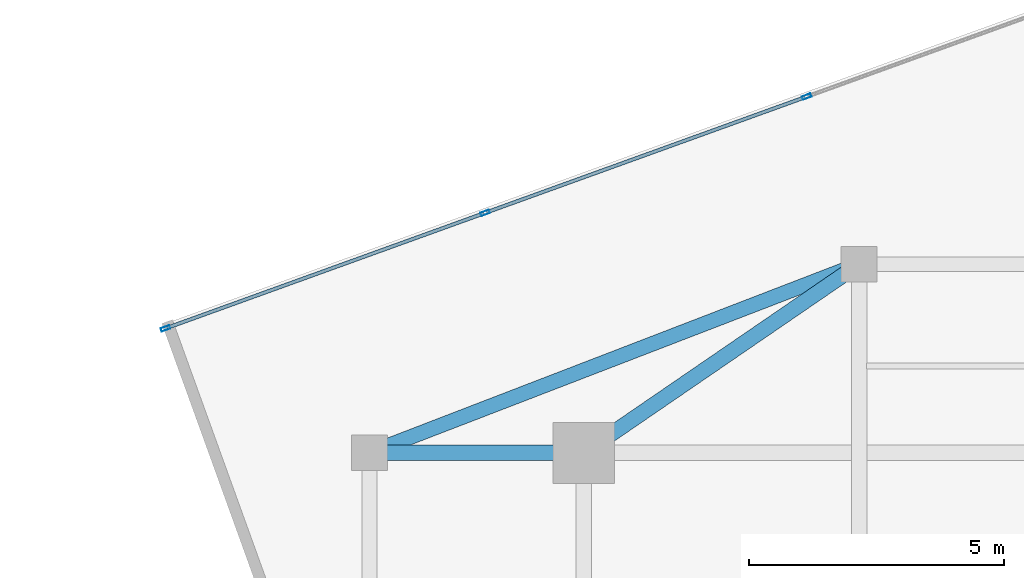
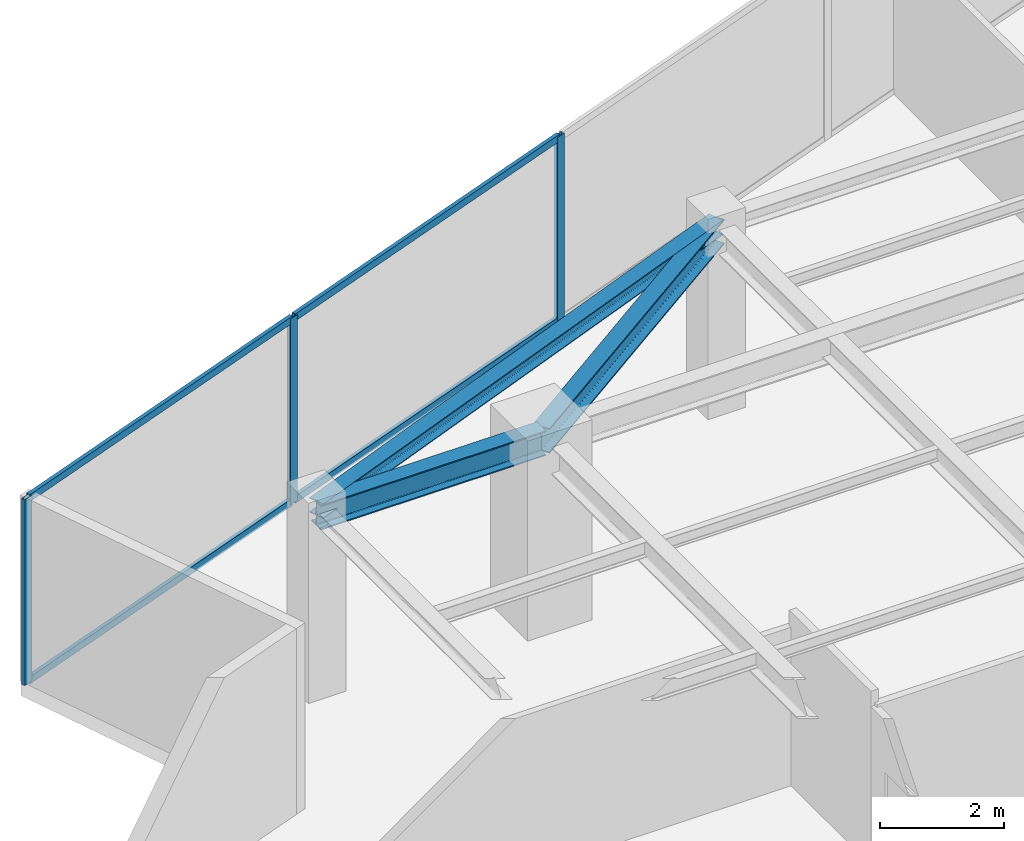
# One storey, part 13 of 21: 7 members, 3 beams, 1 element without a shape of its own.
"""IFC4 building model written with IfcOpenShell, lengths in metres."""

import ifcopenshell
import ifcopenshell.guid

model = None  # the IFC model being written
_history = None  # IfcOwnerHistory: only IFC2X3 demands one
_inside = {}  # id of a spatial element -> (the spatial element, [elements in it])
_under = {}  # id of a project, library or spatial element -> (it, [spatial elements below it])
_declared = {}  # id of a project -> (the project, [libraries it declares])
_typed = {}  # id of a type object -> (the type object, [elements of that type])
_made_of = {}  # id of a material, layer set ... -> (it, [elements and type objects made of it])


def new_model(schema):
    """Start an empty IFC model of exactly this schema.

    Asked for "IFC4X3", IfcOpenShell would pick the latest addendum, in which some entities
    have other attributes; the version numbers below select the first issue.
    IFC2X3 requires an IfcOwnerHistory on every rooted entity: one is made here for all.
    """
    global model, _history
    if schema == "IFC4X3":
        model = ifcopenshell.file(schema_version=(4, 3, 0, 0))
    else:
        model = ifcopenshell.file(schema=schema)
    _inside.clear()
    _under.clear()
    _declared.clear()
    _typed.clear()
    _made_of.clear()
    _history = None
    if model.schema == "IFC2X3":
        org = make("IfcOrganization", Name="unknown")
        user = make(
            "IfcPersonAndOrganization",
            ThePerson=make("IfcPerson", FamilyName="unknown"),
            TheOrganization=org,
        )
        app = make(
            "IfcApplication",
            ApplicationDeveloper=org,
            Version="unknown",
            ApplicationFullName="unknown",
            ApplicationIdentifier="unknown",
        )
        _history = make(
            "IfcOwnerHistory",
            OwningUser=user,
            OwningApplication=app,
            ChangeAction="ADDED",
            CreationDate=0,
        )
    return model


def make(cls, **values):
    """One entity of the class cls with the attributes given. An attribute that is None is left unset."""
    return model.create_entity(
        cls, **{name: value for name, value in values.items() if value is not None}
    )


def rooted(cls, **values):
    """An entity with a GlobalId (a new one), such as an element, a storey or a relation."""
    return make(cls, GlobalId=ifcopenshell.guid.new(), OwnerHistory=_history, **values)


def si_unit(unit_type, name, prefix=None):
    """IfcSIUnit, for example si_unit("LENGTHUNIT", "METRE", prefix="MILLI")."""
    return make("IfcSIUnit", UnitType=unit_type, Prefix=prefix, Name=name)


def assignment(units):
    """IfcUnitAssignment: the units of a project."""
    return None if units is None else make("IfcUnitAssignment", Units=units)


def point(xyz):
    """IfcCartesianPoint."""
    return None if xyz is None else make("IfcCartesianPoint", Coordinates=xyz)


def direction(xyz):
    """IfcDirection."""
    return None if xyz is None else make("IfcDirection", DirectionRatios=xyz)


def frame(location, z_axis=None, x_axis=None):
    """IfcAxis2Placement3D, a coordinate frame: its origin and axes. An axis left out is left unset."""
    return make(
        "IfcAxis2Placement3D",
        Location=point(location),
        Axis=direction(z_axis),
        RefDirection=direction(x_axis),
    )


def frame_2d(location, x_axis=None):
    """IfcAxis2Placement2D, a coordinate frame in the plane: its origin and x axis."""
    return make(
        "IfcAxis2Placement2D", Location=point(location), RefDirection=direction(x_axis)
    )


def origin():
    """The frame at (0, 0, 0) with its axes left unset."""
    return frame((0.0, 0.0, 0.0))


def origin_2d():
    """The frame at (0, 0) in the plane with its x axis left unset."""
    return frame_2d((0.0, 0.0))


def place(relative_to, where):
    """IfcLocalPlacement: puts the frame where relative to a parent placement (None: the world)."""
    return make(
        "IfcLocalPlacement", PlacementRelTo=relative_to, RelativePlacement=where
    )


def context(
    kind, dimensions, precision=None, world=None, true_north=None, identifier=None
):
    """IfcGeometricRepresentationContext, for example the 3D "Model" context."""
    return make(
        "IfcGeometricRepresentationContext",
        ContextIdentifier=identifier,
        ContextType=kind,
        CoordinateSpaceDimension=dimensions,
        Precision=precision,
        WorldCoordinateSystem=world,
        TrueNorth=true_north,
    )


def subcontext(parent, identifier, kind, view, scale=None):
    """IfcGeometricRepresentationSubContext, for example "Body" below "Model"."""
    return make(
        "IfcGeometricRepresentationSubContext",
        ContextIdentifier=identifier,
        ContextType=kind,
        ParentContext=parent,
        TargetScale=scale,
        TargetView=view,
    )


def project(units=None, contexts=None):
    """IfcProject with its units and contexts."""
    return rooted(
        "IfcProject",
        Name="project",
        RepresentationContexts=contexts,
        UnitsInContext=assignment(units),
    )


def spatial(cls, under=None, at=None, **own):
    """A site, building, storey or space (cls), placed at a placement, below another one or the project."""
    s = rooted(cls, ObjectPlacement=at, **own)
    if under is not None:
        _under.setdefault(under.id(), (under, []))[1].append(s)
    return s


def profile(cls, at=None, kind="AREA", **sizes):
    """A parametric profile (cls). Its sizes go by their IFC names, for example OverallWidth=200.0."""
    return make(cls, ProfileType=kind, Position=at, **sizes)


def hollow_rectangle(**sizes):
    """IfcRectangleHollowProfileDef."""
    return profile("IfcRectangleHollowProfileDef", **sizes)


def i_section(**sizes):
    """IfcIShapeProfileDef."""
    return profile("IfcIShapeProfileDef", **sizes)


def extrude(swept, where, along, depth):
    """IfcExtrudedAreaSolid: the profile swept, set in the frame where, extruded along a direction by depth."""
    return make(
        "IfcExtrudedAreaSolid",
        SweptArea=swept,
        Position=where,
        ExtrudedDirection=direction(along),
        Depth=depth,
    )


def shape(context_of_items, identifier, shape_type, items):
    """IfcShapeRepresentation: the items that make up one representation, for example the "Body"."""
    return make(
        "IfcShapeRepresentation",
        ContextOfItems=context_of_items,
        RepresentationIdentifier=identifier,
        RepresentationType=shape_type,
        Items=items,
    )


def source(mapping_origin, context_of_items, identifier, shape_type, items):
    """IfcRepresentationMap: a shape defined once, which mapped items show again and again."""
    return make(
        "IfcRepresentationMap",
        MappingOrigin=mapping_origin,
        MappedRepresentation=shape(context_of_items, identifier, shape_type, items),
    )


def transform(
    local_origin,
    x_axis=None,
    y_axis=None,
    z_axis=None,
    scale=None,
    scale2=None,
    scale3=None,
    uniform=True,
):
    """IfcCartesianTransformationOperator3D, or its non-uniform kind. x_axis, y_axis, z_axis: its Axis1, 2, 3."""
    if uniform:
        return make(
            "IfcCartesianTransformationOperator3D",
            Axis1=direction(x_axis),
            Axis2=direction(y_axis),
            LocalOrigin=point(local_origin),
            Scale=scale,
            Axis3=direction(z_axis),
        )
    return make(
        "IfcCartesianTransformationOperator3DnonUniform",
        Axis1=direction(x_axis),
        Axis2=direction(y_axis),
        LocalOrigin=point(local_origin),
        Scale=scale,
        Axis3=direction(z_axis),
        Scale2=scale2,
        Scale3=scale3,
    )


def mapped(mapping_source, mapping_target):
    """IfcMappedItem: shows the shape of a source again, moved by a transform."""
    return make(
        "IfcMappedItem", MappingSource=mapping_source, MappingTarget=mapping_target
    )


def material(Name=None, Category=None):
    """IfcMaterial."""
    return make("IfcMaterial", Name=Name, Category=Category)


def material_profile(
    of_material, cross_section, Name=None, Category=None, Priority=None
):
    """IfcMaterialProfile: a cross section and its material."""
    return make(
        "IfcMaterialProfile",
        Name=Name,
        Material=of_material,
        Profile=cross_section,
        Priority=Priority,
        Category=Category,
    )


def profile_set(profiles, Name=None, composite=None):
    """IfcMaterialProfileSet."""
    return make(
        "IfcMaterialProfileSet",
        Name=Name,
        MaterialProfiles=profiles,
        CompositeProfile=composite,
    )


def made_of(thing, what):
    """Note that an element or type object is made of a material, layer set ...; save() writes the relation."""
    if what is not None:
        _made_of.setdefault(what.id(), (what, []))[1].append(thing)
    return thing


def type_object(cls, material=None, **own):
    """A type object (cls), such as IfcWallType, which elements share."""
    return made_of(rooted(cls, **own), material)


def type_shapes(of_type, sources):
    """Give a type object the sources (RepresentationMaps) that its elements show as mapped items."""
    of_type.RepresentationMaps = sources


def element(
    cls,
    number,
    at=None,
    inside=None,
    cuts=None,
    type_object=None,
    material=None,
    context=None,
    identifier="Body",
    shape_type=None,
    held_by="IfcProductDefinitionShape",
    body=None,
    shapes=None,
    **own,
):
    """One element of the class cls, such as IfcWall. Its Tag is "e" and its number.

    at: its placement. inside: the storey or other place that contains it. cuts: it is an
    opening in that element (IfcRelVoidsElement). A single representation is given by context,
    identifier, shape_type and body (its items); several are given by shapes. held_by: the class
    of the entity that holds the representations. save() writes the other relations.
    """
    e = rooted(cls, Tag="e%d" % number, ObjectPlacement=at, **own)
    if body is not None:
        shapes = [shape(context, identifier, shape_type, body)]
    if shapes is not None:
        e.Representation = make(held_by, Representations=shapes)
    if inside is not None:
        _inside.setdefault(inside.id(), (inside, []))[1].append(e)
    if cuts is not None:
        rooted(
            "IfcRelVoidsElement", RelatingBuildingElement=cuts, RelatedOpeningElement=e
        )
    if type_object is not None:
        _typed.setdefault(type_object.id(), (type_object, []))[1].append(e)
    return made_of(e, material)


def aggregate(whole, parts):
    """IfcRelAggregates: a whole, such as a stair, and the parts it consists of."""
    return rooted("IfcRelAggregates", RelatingObject=whole, RelatedObjects=parts)


def save(model, path):
    """Write the relations noted so far, then the file.

    IfcRelAggregates (storeys below a building ...), IfcRelContainedInSpatialStructure (elements
    in a storey), IfcRelDefinesByType, IfcRelAssociatesMaterial and IfcRelDeclares: one each for
    every whole, place, type object, material and project.
    """
    for whole, parts in _under.values():
        aggregate(whole, parts)
    for where, things in _inside.values():
        rooted(
            "IfcRelContainedInSpatialStructure",
            RelatedElements=things,
            RelatingStructure=where,
        )
    for kind, things in _typed.values():
        rooted("IfcRelDefinesByType", RelatedObjects=things, RelatingType=kind)
    for what, things in _made_of.values():
        rooted("IfcRelAssociatesMaterial", RelatedObjects=things, RelatingMaterial=what)
    for by, libraries in _declared.values():
        rooted("IfcRelDeclares", RelatingContext=by, RelatedDefinitions=libraries)
    model.write(path)


model = new_model("IFC4")

# Units and contexts
model_context = context("Model", 3, precision=1e-05, world=origin(), true_north=direction((0.0, 1.0)))
body_context = subcontext(model_context, "Body", "Model", "MODEL_VIEW")
ifc_project = project(units=[si_unit("LENGTHUNIT", "METRE"), si_unit("AREAUNIT", "SQUARE_METRE"), si_unit("VOLUMEUNIT", "CUBIC_METRE"), si_unit("PLANEANGLEUNIT", "RADIAN"), si_unit("MASSUNIT", "GRAM", prefix="KILO")], contexts=[model_context])

# Site, building, storey
site_placement = place(None, origin())
site = spatial("IfcSite", under=ifc_project, at=site_placement, CompositionType="ELEMENT")
building_placement = place(site_placement, origin())
building = spatial("IfcBuilding", under=site, at=building_placement, Name="Krantzveldt Concourse Tower", CompositionType="ELEMENT")
storey_placement = place(building_placement, frame((0.0, 0.0, 335.60009765625)))
storey = spatial("IfcBuildingStorey", under=building, at=storey_placement, Name="L82", CompositionType="ELEMENT", Elevation=335.60009765625)

# Beams
ifc_material_1 = material(Name="Steel S355JR", Category="steel")
ifc_material_profile_1 = material_profile(ifc_material_1, i_section(OverallWidth=0.300048828125, OverallDepth=0.489990234375, WebThickness=0.011962890625, FlangeThickness=0.02294921875, FilletRadius=0.027099609375, at=origin_2d()), Name="Steel S355JR", Category="steel")
ifc_profile_set_1 = profile_set([ifc_material_profile_1], Name="Steel S355JR - HEA 500")
beam_type_1 = type_object("IfcBeamType", Name="BM-B-HEA500", PredefinedType="BEAM", material=ifc_profile_set_1)
shared_shape_1 = source(origin(), body_context, "Body", "SweptSolid", [
    extrude(i_section(OverallWidth=0.300048828125, OverallDepth=0.489990234375, WebThickness=0.011962890625, FlangeThickness=0.02294921875, FilletRadius=0.027099609375, at=origin_2d()), origin(), (0.0, 0.0, 1.0), 4.199951171875),
])
beam_1_placement = place(storey_placement, frame((21.0, 37.5, 3.4248046875), z_axis=(1.0, 0.0, 0.0), x_axis=(0.0, 1.0, 0.0)))
element("IfcBeam", 1, at=beam_1_placement, inside=storey, type_object=beam_type_1, Name="L82 Tower Girder BR-RL3", PredefinedType="BEAM", context=body_context, shape_type="MappedRepresentation", body=[
    mapped(shared_shape_1, transform((0.0, 0.0, 0.0), x_axis=(1.0, 0.0, 0.0), y_axis=(0.0, 1.0, 0.0), z_axis=(0.0, 0.0, 1.0), scale=1.0)),
])
shared_shape_2 = source(origin(), body_context, "Body", "SweptSolid", [
    extrude(i_section(OverallWidth=0.300048828125, OverallDepth=0.489990234375, WebThickness=0.011962890625, FlangeThickness=0.02294921875, FilletRadius=0.027099609375, at=origin_2d()), origin(), (0.0, 0.0, 1.0), 6.546142578125),
])
type_shapes(beam_type_1, [shared_shape_1, shared_shape_2])
beam_2_placement = place(storey_placement, frame((25.199951171875, 37.5, 3.4248046875), z_axis=(0.824942999484, 0.565215930068, 0.0), x_axis=(-0.565215930068, 0.824942999484, 0.0)))
element("IfcBeam", 2, at=beam_2_placement, inside=storey, type_object=beam_type_1, Name="L82 Tower Girder BR-RL4", PredefinedType="BEAM", context=body_context, shape_type="MappedRepresentation", body=[
    mapped(shared_shape_2, transform((0.0, 0.0, 0.0), x_axis=(1.0, 0.0, 0.0), y_axis=(0.0, 1.0, 0.0), z_axis=(0.0, 0.0, 1.0), scale=1.0)),
])
ifc_material_profile_2 = material_profile(ifc_material_1, i_section(OverallWidth=0.2900390625, OverallDepth=0.2900390625, WebThickness=0.008544921875, FlangeThickness=0.013916015625, FilletRadius=0.027099609375, at=origin_2d()), Name="Steel S355JR", Category="steel")
ifc_profile_set_2 = profile_set([ifc_material_profile_2], Name="Steel S355JR - HEA 300")
beam_type_2 = type_object("IfcBeamType", Name="BM-SP-HEA300", PredefinedType="SPANDREL", material=ifc_profile_set_2)
shared_shape_3 = source(origin(), body_context, "Body", "SweptSolid", [
    extrude(i_section(OverallWidth=0.2900390625, OverallDepth=0.2900390625, WebThickness=0.008544921875, FlangeThickness=0.013916015625, FilletRadius=0.027099609375, at=origin_2d()), origin(), (0.0, 0.0, 1.0), 10.288330078125),
])
type_shapes(beam_type_2, [shared_shape_3])
beam_3_placement = place(storey_placement, frame((21.0, 37.5, 3.52490234375), z_axis=(0.933097690408, 0.359622997257, 0.0), x_axis=(-0.359622997257, 0.933097690408, 0.0)))
element("IfcBeam", 3, at=beam_3_placement, inside=storey, type_object=beam_type_2, Name="L82 Tower Girder SP-R03", PredefinedType="SPANDREL", context=body_context, shape_type="MappedRepresentation", body=[
    mapped(shared_shape_3, transform((0.0, 0.0, 0.0), x_axis=(1.0, 0.0, 0.0), y_axis=(0.0, 1.0, 0.0), z_axis=(0.0, 0.0, 1.0), scale=1.0)),
])

# Curtain wall, members
ifc_material_2 = material(Name="Anodised aluminium 6063-T6", Category="aluminium")
curtain_wall_type = type_object("IfcCurtainWallType", Name="CW4", PredefinedType="USERDEFINED", material=ifc_material_2)
curtain_wall_placement = place(storey_placement, origin())
curtain_wall = element("IfcCurtainWall", 4, at=curtain_wall_placement, inside=storey, type_object=curtain_wall_type, Name="CW-L82-F01", ObjectType="UNITISED CURTAIN WALL", PredefinedType="USERDEFINED")
ifc_material_profile_3 = material_profile(ifc_material_2, hollow_rectangle(XDim=0.070068359375, YDim=0.179931640625, WallThickness=0.0048828125, at=origin_2d()), Name="Anodised aluminium 6063-T6", Category="aluminium")
ifc_profile_set_3 = profile_set([ifc_material_profile_3], Name="Anodised aluminium 6063-T6 - ALU-MULL 180x70x5")
member_type_1 = type_object("IfcMemberType", Name="CW-MUL-180", PredefinedType="MULLION", material=ifc_profile_set_3)
shared_shape_4 = source(origin(), body_context, "Body", "SweptSolid", [
    extrude(hollow_rectangle(XDim=0.070068359375, YDim=0.179931640625, WallThickness=0.0048828125, at=origin_2d()), origin(), (0.0, 0.0, 1.0), 3.669921875),
])
type_shapes(member_type_1, [shared_shape_4])
member_1_placement = place(storey_placement, frame((29.5712890625, 44.483642578125, 0.0), z_axis=(0.0, 0.0, 1.0), x_axis=(0.339969050563, -0.940436624478, 0.0)))
member_1 = element("IfcMember", 5, at=member_1_placement, type_object=member_type_1, Name="CW-Z56 mullion 3", PredefinedType="MULLION", context=body_context, shape_type="MappedRepresentation", body=[
    mapped(shared_shape_4, transform((0.0, 0.0, 0.0), x_axis=(1.0, 0.0, 0.0), y_axis=(0.0, 1.0, 0.0), z_axis=(0.0, 0.0, 1.0), scale=1.0)),
])
member_2_placement = place(storey_placement, frame((23.270263671875, 42.205810546875, 0.0), z_axis=(0.0, 0.0, 1.0), x_axis=(0.339969050563, -0.940436624478, 0.0)))
member_2 = element("IfcMember", 6, at=member_2_placement, type_object=member_type_1, Name="CW-Z56 mullion 4", PredefinedType="MULLION", context=body_context, shape_type="MappedRepresentation", body=[
    mapped(shared_shape_4, transform((0.0, 0.0, 0.0), x_axis=(1.0, 0.0, 0.0), y_axis=(0.0, 1.0, 0.0), z_axis=(0.0, 0.0, 1.0), scale=1.0)),
])
member_3_placement = place(storey_placement, frame((17.002197265625, 39.93994140625, 0.0), z_axis=(0.0, 0.0, 1.0), x_axis=(0.339969050563, -0.940436624478, 0.0)))
member_3 = element("IfcMember", 7, at=member_3_placement, type_object=member_type_1, Name="CW-Z56 mullion 5", PredefinedType="MULLION", context=body_context, shape_type="MappedRepresentation", body=[
    mapped(shared_shape_4, transform((0.0, 0.0, 0.0), x_axis=(1.0, 0.0, 0.0), y_axis=(0.0, 1.0, 0.0), z_axis=(0.0, 0.0, 1.0), scale=1.0)),
])
ifc_material_profile_4 = material_profile(ifc_material_2, hollow_rectangle(XDim=0.070068359375, YDim=0.139892578125, WallThickness=0.0048828125, at=origin_2d()), Name="Anodised aluminium 6063-T6", Category="aluminium")
ifc_profile_set_4 = profile_set([ifc_material_profile_4], Name="Anodised aluminium 6063-T6 - ALU-TRAN 140x70x5")
member_type_2 = type_object("IfcMemberType", Name="CW-TRN-150", PredefinedType="USERDEFINED", material=ifc_profile_set_4)
shared_shape_5 = source(origin(), body_context, "Body", "SweptSolid", [
    extrude(hollow_rectangle(XDim=0.070068359375, YDim=0.139892578125, WallThickness=0.0048828125, at=origin_2d()), origin(), (0.0, 0.0, 1.0), 6.594970703125),
])
member_4_placement = place(storey_placement, frame((23.2373046875, 42.19384765625, 0.034912109375), z_axis=(-0.940443473785, -0.339950103124, 0.0), x_axis=(0.339950103124, -0.940443473785, 0.0)))
member_4 = element("IfcMember", 8, at=member_4_placement, type_object=member_type_2, Name="CW-Z56 transom 4.1", ObjectType="TRANSOM", PredefinedType="USERDEFINED", context=body_context, shape_type="MappedRepresentation", body=[
    mapped(shared_shape_5, transform((0.0, 0.0, 0.0), x_axis=(1.0, 0.0, 0.0), y_axis=(0.0, 1.0, 0.0), z_axis=(0.0, 0.0, 1.0), scale=1.0)),
])
member_5_placement = place(storey_placement, frame((23.2373046875, 42.19384765625, 3.635009765625), z_axis=(-0.940443473785, -0.339950103124, 0.0), x_axis=(0.339950103124, -0.940443473785, 0.0)))
member_5 = element("IfcMember", 9, at=member_5_placement, type_object=member_type_2, Name="CW-Z56 transom 4.2", ObjectType="TRANSOM", PredefinedType="USERDEFINED", context=body_context, shape_type="MappedRepresentation", body=[
    mapped(shared_shape_5, transform((0.0, 0.0, 0.0), x_axis=(1.0, 0.0, 0.0), y_axis=(0.0, 1.0, 0.0), z_axis=(0.0, 0.0, 1.0), scale=1.0)),
])
shared_shape_6 = source(origin(), body_context, "Body", "SweptSolid", [
    extrude(hollow_rectangle(XDim=0.070068359375, YDim=0.139892578125, WallThickness=0.0048828125, at=origin_2d()), origin(), (0.0, 0.0, 1.0), 6.6298828125),
])
type_shapes(member_type_2, [shared_shape_5, shared_shape_6])
member_6_placement = place(storey_placement, frame((29.538330078125, 44.4716796875, 0.034912109375), z_axis=(-0.940441114499, -0.339956629823, 0.0), x_axis=(0.339956629823, -0.940441114499, 0.0)))
member_6 = element("IfcMember", 10, at=member_6_placement, type_object=member_type_2, Name="CW-Z56 transom 3.1", ObjectType="TRANSOM", PredefinedType="USERDEFINED", context=body_context, shape_type="MappedRepresentation", body=[
    mapped(shared_shape_6, transform((0.0, 0.0, 0.0), x_axis=(1.0, 0.0, 0.0), y_axis=(0.0, 1.0, 0.0), z_axis=(0.0, 0.0, 1.0), scale=1.0)),
])
member_7_placement = place(storey_placement, frame((29.538330078125, 44.4716796875, 3.635009765625), z_axis=(-0.940441114499, -0.339956629823, 0.0), x_axis=(0.339956629823, -0.940441114499, 0.0)))
member_7 = element("IfcMember", 11, at=member_7_placement, type_object=member_type_2, Name="CW-Z56 transom 3.2", ObjectType="TRANSOM", PredefinedType="USERDEFINED", context=body_context, shape_type="MappedRepresentation", body=[
    mapped(shared_shape_6, transform((0.0, 0.0, 0.0), x_axis=(1.0, 0.0, 0.0), y_axis=(0.0, 1.0, 0.0), z_axis=(0.0, 0.0, 1.0), scale=1.0)),
])
aggregate(curtain_wall, [member_1, member_2, member_3, member_6, member_7, member_4, member_5])

save(model, "model.ifc")
